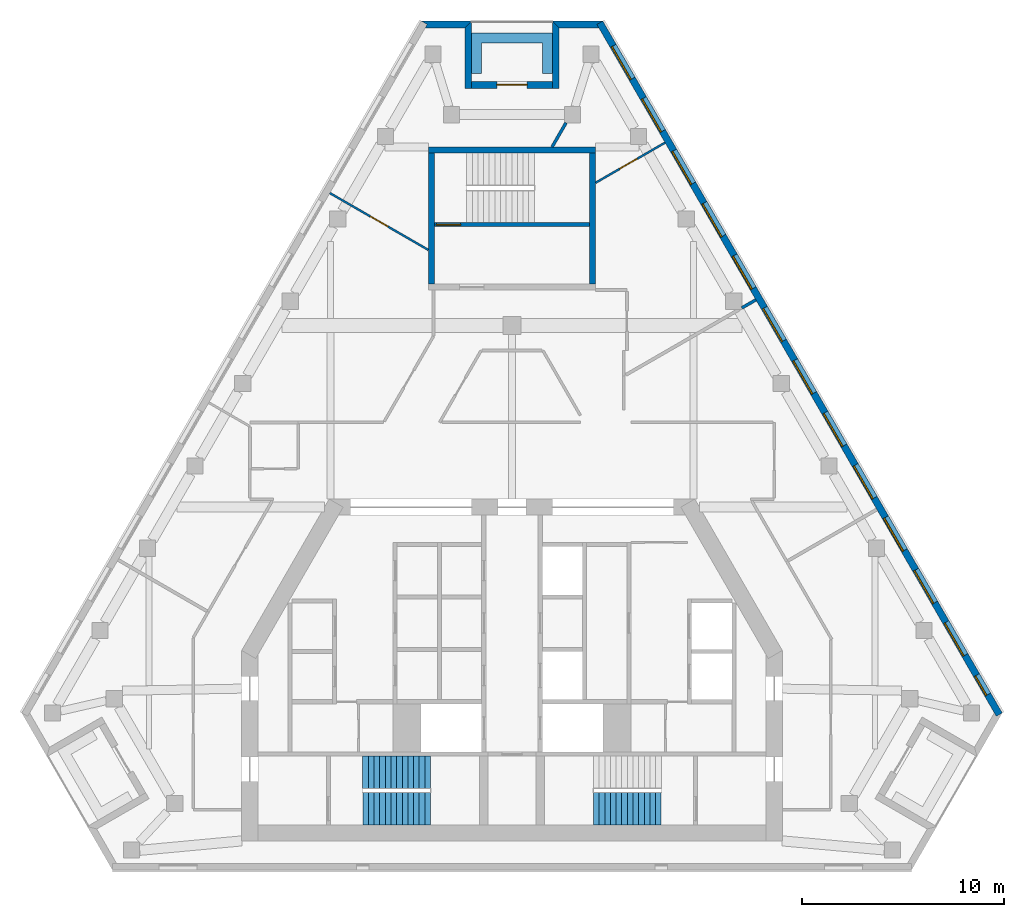
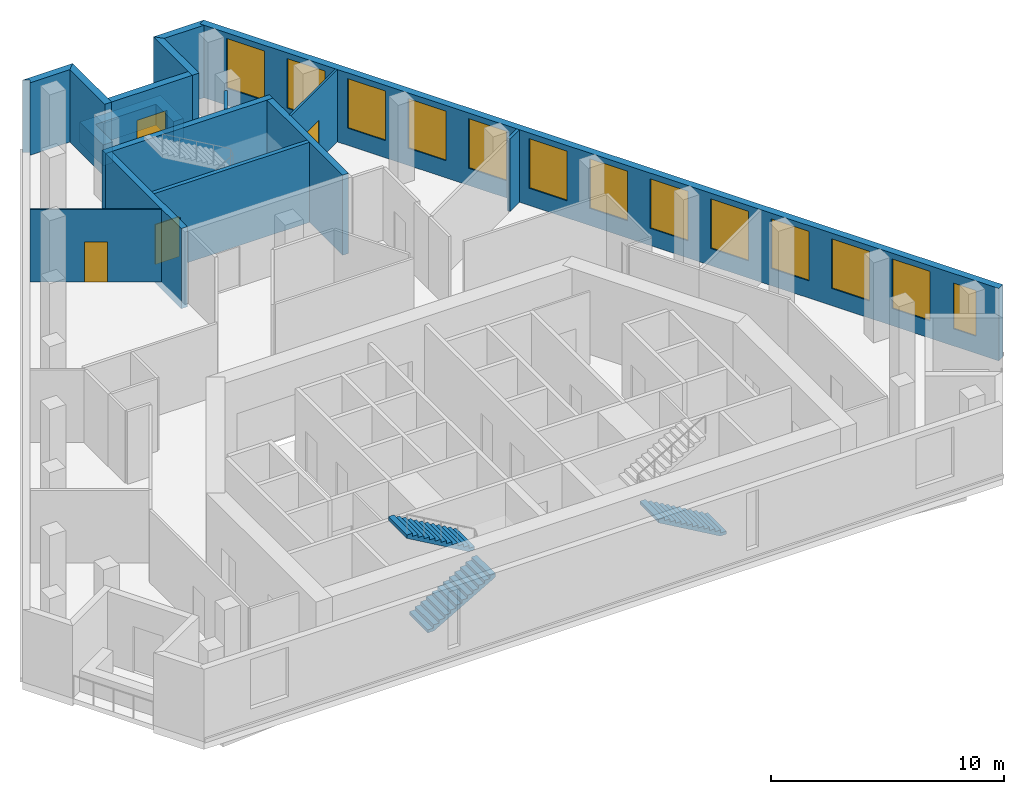
# One storey, part 6 of 8: 15 walls, 13 windows, 4 doors, 3 stair flights, 17 openings, 2 elements without a shape of their own.
"""IFC4 building model written with IfcOpenShell, lengths in metres."""

from ifc_helpers import new_model, si_unit, direction, frame, frame_2d, origin, place, context, subcontext, project, spatial, polyline, rectangle, outline, extrude, material, layer, layer_set, type_object, element, fill, aggregate, save


model = new_model("IFC4")

# Units and contexts
model_context = context("Model", 3, precision=1e-05, world=origin(), true_north=direction((0.0, 1.0)))
body_context = subcontext(model_context, "Body", "Model", "MODEL_VIEW")
ifc_project = project(units=[si_unit("LENGTHUNIT", "METRE"), si_unit("AREAUNIT", "SQUARE_METRE"), si_unit("VOLUMEUNIT", "CUBIC_METRE"), si_unit("PLANEANGLEUNIT", "RADIAN"), si_unit("MASSUNIT", "GRAM", prefix="KILO")], contexts=[model_context])

# Site, building, storey
site_placement = place(None, origin())
site = spatial("IfcSite", under=ifc_project, at=site_placement, CompositionType="ELEMENT")
building_placement = place(site_placement, origin())
building = spatial("IfcBuilding", under=site, at=building_placement, Name="Fogline Exchange Tower", CompositionType="ELEMENT")
storey_placement = place(building_placement, frame((0.0, 0.0, 326.699951171875)))
storey = spatial("IfcBuildingStorey", under=building, at=storey_placement, Name="L74", CompositionType="ELEMENT", Elevation=326.699951171875)

# Wall, opening, door
ifc_material_1 = material(Name="Concrete C40", Category="concrete")
ifc_layer_1 = layer(ifc_material_1, 0.199951171875)
ifc_layer_set_1 = layer_set([ifc_layer_1], Name="CW20R")
wall_type_1 = type_object("IfcWallType", Name="CW20R", PredefinedType="SOLIDWALL", material=ifc_layer_set_1)
wall_1_placement = place(storey_placement, frame((-3.85009765625, 32.007080078125, -0.39990234375), z_axis=(0.0, 0.0, 1.0), x_axis=(1.0, 0.0, 0.0)))
wall_1 = element("IfcWall", 1, at=wall_1_placement, inside=storey, type_object=wall_type_1, Name="Stair enclosure wall ST3", PredefinedType="SOLIDWALL", context=body_context, shape_type="SweptSolid", body=[
    extrude(rectangle(XDim=7.7001953125, YDim=0.199951171875, at=frame_2d((3.85009765625, 0.0))), origin(), (0.0, 0.0, 1.0), 4.199951171875),
])
opening_1_placement = place(wall_1_placement, frame((0.10009765625, 0.0, 0.39990234375)))
opening_1 = element("IfcOpeningElement", 2, at=opening_1_placement, cuts=wall_1, Name="Opening T23-C027", PredefinedType="OPENING", context=body_context, shape_type="SweptSolid", body=[
    extrude(rectangle(XDim=1.199951171875, YDim=2.10009765625, at=frame_2d((0.60009765625, 1.050048828125))), frame((0.0, 0.10986328125, 0.0), z_axis=(0.0, -1.0, 0.0), x_axis=(1.0, 0.0, 0.0)), (0.0, 0.0, 1.0), 0.219970703125),
])
ifc_material_2 = material(Name="Steel and timber fire door", Category="steel")
door_type_1 = type_object("IfcDoorType", Name="D-ST1", OperationType="SINGLE_SWING_LEFT", PredefinedType="DOOR", material=ifc_material_2)
door_1_placement = place(opening_1_placement, origin())
door_1 = element("IfcDoor", 3, at=door_1_placement, inside=storey, type_object=door_type_1, Name="Stair door ST3", OperationType="SINGLE_SWING_LEFT", OverallHeight=2.10009765625, OverallWidth=1.199951171875, PredefinedType="DOOR", context=body_context, shape_type="SweptSolid", body=[
    extrude(rectangle(XDim=1.199951171875, YDim=2.10009765625, at=frame_2d((0.60009765625, 1.050048828125))), frame((0.0, 0.02490234375, 0.0), z_axis=(0.0, -1.0, 0.0), x_axis=(1.0, 0.0, 0.0)), (0.0, 0.0, 1.0), 0.050048828125),
])
fill(opening_1, door_1)

# Walls
ifc_layer_2 = layer(ifc_material_1, 0.300048828125)
ifc_layer_set_2 = layer_set([ifc_layer_2], Name="CW30")
wall_type_2 = type_object("IfcWallType", Name="CW30", PredefinedType="SOLIDWALL", material=ifc_layer_set_2)
wall_2_placement = place(storey_placement, frame((-4.14990234375, 35.70703125, -0.39990234375), z_axis=(0.0, 0.0, 1.0), x_axis=(1.0, 0.0, 0.0)))
element("IfcWall", 4, at=wall_2_placement, inside=storey, type_object=wall_type_2, Name="Stair enclosure wall ST3", PredefinedType="SOLIDWALL", context=body_context, shape_type="SweptSolid", body=[
    extrude(rectangle(XDim=8.2998046875, YDim=0.300048828125, at=frame_2d((4.14990234375, 0.0))), origin(), (0.0, 0.0, 1.0), 4.199951171875),
])
for number, where, z_axis, x_axis, name in (
    (5, (-4.0, 29.056884765625, -0.39990234375), (0.0, 0.0, 1.0), (0.0, 1.0, 0.0), "Stair enclosure wall ST3"),
    (6, (4.0, 29.056884765625, -0.39990234375), (0.0, 0.0, 1.0), (0.0, 1.0, 0.0), "Stair enclosure wall ST3"),
):
    element("IfcWall", number, at=place(storey_placement, frame(where, z_axis=z_axis, x_axis=x_axis)), inside=storey, type_object=wall_type_2, Name=name, PredefinedType="SOLIDWALL", context=body_context, shape_type="SweptSolid", body=[
        extrude(rectangle(XDim=6.5, YDim=0.300048828125, at=frame_2d((3.25, 0.0))), origin(), (0.0, 0.0, 1.0), 4.199951171875),
    ])

# Wall, openings, windows
ifc_material_3 = material(Name="Brick masonry", Category="masonry")
ifc_layer_3 = layer(ifc_material_3, 0.340087890625)
ifc_layer_set_3 = layer_set([ifc_layer_3], Name="FW1")
wall_type_3 = type_object("IfcWallType", Name="FW1", PredefinedType="SOLIDWALL", material=ifc_layer_set_3)
wall_3_placement = place(storey_placement, frame((24.16015625, 7.709228515625, 0.0), z_axis=(0.0, 0.0, 1.0), x_axis=(-0.500000037544, 0.866025382108, 0.0)))
wall_3 = element("IfcWall", 7, at=wall_3_placement, inside=storey, type_object=wall_type_3, Name="Brick wall L74 E", PredefinedType="SOLIDWALL", context=body_context, shape_type="SweptSolid", body=[
    extrude(rectangle(XDim=39.61474609375, YDim=0.340087890625, at=frame_2d((19.807373046875, 0.0))), origin(), (0.0, 0.0, 1.0), 3.800048828125),
])
opening_2_placement = place(wall_3_placement, frame((3.40380859375, 0.0, 0.89990234375)))
opening_2 = element("IfcOpeningElement", 8, at=opening_2_placement, cuts=wall_3, Name="Opening W3", PredefinedType="OPENING", context=body_context, shape_type="SweptSolid", body=[
    extrude(rectangle(XDim=1.885009765625, YDim=2.60009765625, at=frame_2d((0.9423828125, 1.300048828125))), frame((0.0, 0.18017578125, 0.0), z_axis=(0.0, -1.0, 0.0), x_axis=(1.0, 0.0, 0.0)), (0.0, 0.0, 1.0), 0.360107421875),
])
opening_3_placement = place(wall_3_placement, frame((6.40380859375, 0.0, 0.89990234375)))
opening_3 = element("IfcOpeningElement", 9, at=opening_3_placement, cuts=wall_3, Name="Opening W3", PredefinedType="OPENING", context=body_context, shape_type="SweptSolid", body=[
    extrude(rectangle(XDim=1.885009765625, YDim=2.60009765625, at=frame_2d((0.9423828125, 1.300048828125))), frame((0.0, 0.18017578125, 0.0), z_axis=(0.0, -1.0, 0.0), x_axis=(1.0, 0.0, 0.0)), (0.0, 0.0, 1.0), 0.360107421875),
])
opening_4_placement = place(wall_3_placement, frame((9.40380859375, 0.0, 0.89990234375)))
opening_4 = element("IfcOpeningElement", 10, at=opening_4_placement, cuts=wall_3, Name="Opening W3", PredefinedType="OPENING", context=body_context, shape_type="SweptSolid", body=[
    extrude(rectangle(XDim=1.885009765625, YDim=2.60009765625, at=frame_2d((0.9423828125, 1.300048828125))), frame((0.0, 0.18017578125, 0.0), z_axis=(0.0, -1.0, 0.0), x_axis=(1.0, 0.0, 0.0)), (0.0, 0.0, 1.0), 0.360107421875),
])
opening_5_placement = place(wall_3_placement, frame((12.40380859375, 0.0, 0.89990234375)))
opening_5 = element("IfcOpeningElement", 11, at=opening_5_placement, cuts=wall_3, Name="Opening W3", PredefinedType="OPENING", context=body_context, shape_type="SweptSolid", body=[
    extrude(rectangle(XDim=1.885009765625, YDim=2.60009765625, at=frame_2d((0.9423828125, 1.300048828125))), frame((0.0, 0.18017578125, 0.0), z_axis=(0.0, -1.0, 0.0), x_axis=(1.0, 0.0, 0.0)), (0.0, 0.0, 1.0), 0.360107421875),
])
opening_6_placement = place(wall_3_placement, frame((15.40380859375, 0.0, 0.89990234375)))
opening_6 = element("IfcOpeningElement", 12, at=opening_6_placement, cuts=wall_3, Name="Opening W3", PredefinedType="OPENING", context=body_context, shape_type="SweptSolid", body=[
    extrude(rectangle(XDim=1.885009765625, YDim=2.60009765625, at=frame_2d((0.9423828125, 1.300048828125))), frame((0.0, 0.18017578125, 0.0), z_axis=(0.0, -1.0, 0.0), x_axis=(1.0, 0.0, 0.0)), (0.0, 0.0, 1.0), 0.360107421875),
])
opening_7_placement = place(wall_3_placement, frame((18.40380859375, 0.0, 0.89990234375)))
opening_7 = element("IfcOpeningElement", 13, at=opening_7_placement, cuts=wall_3, Name="Opening W3", PredefinedType="OPENING", context=body_context, shape_type="SweptSolid", body=[
    extrude(rectangle(XDim=1.885009765625, YDim=2.60009765625, at=frame_2d((0.9423828125, 1.300048828125))), frame((0.0, 0.18017578125, 0.0), z_axis=(0.0, -1.0, 0.0), x_axis=(1.0, 0.0, 0.0)), (0.0, 0.0, 1.0), 0.360107421875),
])
opening_8_placement = place(wall_3_placement, frame((21.40380859375, 0.0, 0.89990234375)))
opening_8 = element("IfcOpeningElement", 14, at=opening_8_placement, cuts=wall_3, Name="Opening W3", PredefinedType="OPENING", context=body_context, shape_type="SweptSolid", body=[
    extrude(rectangle(XDim=1.885009765625, YDim=2.60009765625, at=frame_2d((0.9423828125, 1.300048828125))), frame((0.0, 0.18017578125, 0.0), z_axis=(0.0, -1.0, 0.0), x_axis=(1.0, 0.0, 0.0)), (0.0, 0.0, 1.0), 0.360107421875),
])
opening_9_placement = place(wall_3_placement, frame((24.40380859375, 0.0, 0.89990234375)))
opening_9 = element("IfcOpeningElement", 15, at=opening_9_placement, cuts=wall_3, Name="Opening W3", PredefinedType="OPENING", context=body_context, shape_type="SweptSolid", body=[
    extrude(rectangle(XDim=1.885009765625, YDim=2.60009765625, at=frame_2d((0.9423828125, 1.300048828125))), frame((0.0, 0.18017578125, 0.0), z_axis=(0.0, -1.0, 0.0), x_axis=(1.0, 0.0, 0.0)), (0.0, 0.0, 1.0), 0.360107421875),
])
opening_10_placement = place(wall_3_placement, frame((27.40380859375, 0.0, 0.89990234375)))
opening_10 = element("IfcOpeningElement", 16, at=opening_10_placement, cuts=wall_3, Name="Opening W3", PredefinedType="OPENING", context=body_context, shape_type="SweptSolid", body=[
    extrude(rectangle(XDim=1.885009765625, YDim=2.60009765625, at=frame_2d((0.9423828125, 1.300048828125))), frame((0.0, 0.18017578125, 0.0), z_axis=(0.0, -1.0, 0.0), x_axis=(1.0, 0.0, 0.0)), (0.0, 0.0, 1.0), 0.360107421875),
])
opening_11_placement = place(wall_3_placement, frame((30.40380859375, 0.0, 0.89990234375)))
opening_11 = element("IfcOpeningElement", 17, at=opening_11_placement, cuts=wall_3, Name="Opening W3", PredefinedType="OPENING", context=body_context, shape_type="SweptSolid", body=[
    extrude(rectangle(XDim=1.885009765625, YDim=2.60009765625, at=frame_2d((0.9423828125, 1.300048828125))), frame((0.0, 0.18017578125, 0.0), z_axis=(0.0, -1.0, 0.0), x_axis=(1.0, 0.0, 0.0)), (0.0, 0.0, 1.0), 0.360107421875),
])
opening_12_placement = place(wall_3_placement, frame((33.40380859375, 0.0, 0.89990234375)))
opening_12 = element("IfcOpeningElement", 18, at=opening_12_placement, cuts=wall_3, Name="Opening W3", PredefinedType="OPENING", context=body_context, shape_type="SweptSolid", body=[
    extrude(rectangle(XDim=1.885009765625, YDim=2.60009765625, at=frame_2d((0.9423828125, 1.300048828125))), frame((0.0, 0.18017578125, 0.0), z_axis=(0.0, -1.0, 0.0), x_axis=(1.0, 0.0, 0.0)), (0.0, 0.0, 1.0), 0.360107421875),
])
opening_13_placement = place(wall_3_placement, frame((36.40380859375, 0.0, 0.89990234375)))
opening_13 = element("IfcOpeningElement", 19, at=opening_13_placement, cuts=wall_3, Name="Opening W3", PredefinedType="OPENING", context=body_context, shape_type="SweptSolid", body=[
    extrude(rectangle(XDim=1.885009765625, YDim=2.60009765625, at=frame_2d((0.9423828125, 1.300048828125))), frame((0.0, 0.18017578125, 0.0), z_axis=(0.0, -1.0, 0.0), x_axis=(1.0, 0.0, 0.0)), (0.0, 0.0, 1.0), 0.360107421875),
])
opening_14_placement = place(wall_3_placement, frame((1.144287109375, 0.0, 0.89990234375)))
opening_14 = element("IfcOpeningElement", 20, at=opening_14_placement, cuts=wall_3, Name="Opening W4", PredefinedType="OPENING", context=body_context, shape_type="SweptSolid", body=[
    extrude(rectangle(XDim=1.114990234375, YDim=2.39990234375, at=frame_2d((0.5576171875, 1.199951171875))), frame((0.0, 0.18017578125, 0.0), z_axis=(0.0, -1.0, 0.0), x_axis=(1.0, 0.0, 0.0)), (0.0, 0.0, 1.0), 0.360107421875),
])
ifc_material_4 = material(Name="Aluminium and glass", Category="aluminium")
window_type_1 = type_object("IfcWindowType", Name="W3", PartitioningType="SINGLE_PANEL", PredefinedType="WINDOW", material=ifc_material_4)
window_1_placement = place(opening_2_placement, origin())
window_1 = element("IfcWindow", 21, at=window_1_placement, inside=storey, type_object=window_type_1, Name="W3 W3", OverallHeight=2.60009765625, OverallWidth=1.885009765625, PartitioningType="SINGLE_PANEL", PredefinedType="WINDOW", context=body_context, shape_type="SweptSolid", body=[
    extrude(rectangle(XDim=1.885009765625, YDim=2.60009765625, at=frame_2d((0.9423828125, 1.300048828125))), frame((0.0, 0.110107421875, 0.0), z_axis=(0.0, -1.0, 0.0), x_axis=(1.0, 0.0, 0.0)), (0.0, 0.0, 1.0), 0.06005859375),
])
fill(opening_2, window_1)
window_2_placement = place(opening_3_placement, origin())
window_2 = element("IfcWindow", 22, at=window_2_placement, inside=storey, type_object=window_type_1, Name="W3 W3", OverallHeight=2.60009765625, OverallWidth=1.885009765625, PartitioningType="SINGLE_PANEL", PredefinedType="WINDOW", context=body_context, shape_type="SweptSolid", body=[
    extrude(rectangle(XDim=1.885009765625, YDim=2.60009765625, at=frame_2d((0.9423828125, 1.300048828125))), frame((0.0, 0.110107421875, 0.0), z_axis=(0.0, -1.0, 0.0), x_axis=(1.0, 0.0, 0.0)), (0.0, 0.0, 1.0), 0.06005859375),
])
fill(opening_3, window_2)
window_3_placement = place(opening_4_placement, origin())
window_3 = element("IfcWindow", 23, at=window_3_placement, inside=storey, type_object=window_type_1, Name="W3 W3", OverallHeight=2.60009765625, OverallWidth=1.885009765625, PartitioningType="SINGLE_PANEL", PredefinedType="WINDOW", context=body_context, shape_type="SweptSolid", body=[
    extrude(rectangle(XDim=1.885009765625, YDim=2.60009765625, at=frame_2d((0.9423828125, 1.300048828125))), frame((0.0, 0.110107421875, 0.0), z_axis=(0.0, -1.0, 0.0), x_axis=(1.0, 0.0, 0.0)), (0.0, 0.0, 1.0), 0.06005859375),
])
fill(opening_4, window_3)
window_4_placement = place(opening_5_placement, origin())
window_4 = element("IfcWindow", 24, at=window_4_placement, inside=storey, type_object=window_type_1, Name="W3 W3", OverallHeight=2.60009765625, OverallWidth=1.885009765625, PartitioningType="SINGLE_PANEL", PredefinedType="WINDOW", context=body_context, shape_type="SweptSolid", body=[
    extrude(rectangle(XDim=1.885009765625, YDim=2.60009765625, at=frame_2d((0.9423828125, 1.300048828125))), frame((0.0, 0.110107421875, 0.0), z_axis=(0.0, -1.0, 0.0), x_axis=(1.0, 0.0, 0.0)), (0.0, 0.0, 1.0), 0.06005859375),
])
fill(opening_5, window_4)
window_5_placement = place(opening_6_placement, origin())
window_5 = element("IfcWindow", 25, at=window_5_placement, inside=storey, type_object=window_type_1, Name="W3 W3", OverallHeight=2.60009765625, OverallWidth=1.885009765625, PartitioningType="SINGLE_PANEL", PredefinedType="WINDOW", context=body_context, shape_type="SweptSolid", body=[
    extrude(rectangle(XDim=1.885009765625, YDim=2.60009765625, at=frame_2d((0.9423828125, 1.300048828125))), frame((0.0, 0.110107421875, 0.0), z_axis=(0.0, -1.0, 0.0), x_axis=(1.0, 0.0, 0.0)), (0.0, 0.0, 1.0), 0.06005859375),
])
fill(opening_6, window_5)
window_6_placement = place(opening_7_placement, origin())
window_6 = element("IfcWindow", 26, at=window_6_placement, inside=storey, type_object=window_type_1, Name="W3 W3", OverallHeight=2.60009765625, OverallWidth=1.885009765625, PartitioningType="SINGLE_PANEL", PredefinedType="WINDOW", context=body_context, shape_type="SweptSolid", body=[
    extrude(rectangle(XDim=1.885009765625, YDim=2.60009765625, at=frame_2d((0.9423828125, 1.300048828125))), frame((0.0, 0.110107421875, 0.0), z_axis=(0.0, -1.0, 0.0), x_axis=(1.0, 0.0, 0.0)), (0.0, 0.0, 1.0), 0.06005859375),
])
fill(opening_7, window_6)
window_7_placement = place(opening_8_placement, origin())
window_7 = element("IfcWindow", 27, at=window_7_placement, inside=storey, type_object=window_type_1, Name="W3 W3", OverallHeight=2.60009765625, OverallWidth=1.885009765625, PartitioningType="SINGLE_PANEL", PredefinedType="WINDOW", context=body_context, shape_type="SweptSolid", body=[
    extrude(rectangle(XDim=1.885009765625, YDim=2.60009765625, at=frame_2d((0.9423828125, 1.300048828125))), frame((0.0, 0.110107421875, 0.0), z_axis=(0.0, -1.0, 0.0), x_axis=(1.0, 0.0, 0.0)), (0.0, 0.0, 1.0), 0.06005859375),
])
fill(opening_8, window_7)
window_8_placement = place(opening_9_placement, origin())
window_8 = element("IfcWindow", 28, at=window_8_placement, inside=storey, type_object=window_type_1, Name="W3 W3", OverallHeight=2.60009765625, OverallWidth=1.885009765625, PartitioningType="SINGLE_PANEL", PredefinedType="WINDOW", context=body_context, shape_type="SweptSolid", body=[
    extrude(rectangle(XDim=1.885009765625, YDim=2.60009765625, at=frame_2d((0.9423828125, 1.300048828125))), frame((0.0, 0.110107421875, 0.0), z_axis=(0.0, -1.0, 0.0), x_axis=(1.0, 0.0, 0.0)), (0.0, 0.0, 1.0), 0.06005859375),
])
fill(opening_9, window_8)
window_9_placement = place(opening_10_placement, origin())
window_9 = element("IfcWindow", 29, at=window_9_placement, inside=storey, type_object=window_type_1, Name="W3 W3", OverallHeight=2.60009765625, OverallWidth=1.885009765625, PartitioningType="SINGLE_PANEL", PredefinedType="WINDOW", context=body_context, shape_type="SweptSolid", body=[
    extrude(rectangle(XDim=1.885009765625, YDim=2.60009765625, at=frame_2d((0.9423828125, 1.300048828125))), frame((0.0, 0.110107421875, 0.0), z_axis=(0.0, -1.0, 0.0), x_axis=(1.0, 0.0, 0.0)), (0.0, 0.0, 1.0), 0.06005859375),
])
fill(opening_10, window_9)
window_10_placement = place(opening_11_placement, origin())
window_10 = element("IfcWindow", 30, at=window_10_placement, inside=storey, type_object=window_type_1, Name="W3 W3", OverallHeight=2.60009765625, OverallWidth=1.885009765625, PartitioningType="SINGLE_PANEL", PredefinedType="WINDOW", context=body_context, shape_type="SweptSolid", body=[
    extrude(rectangle(XDim=1.885009765625, YDim=2.60009765625, at=frame_2d((0.9423828125, 1.300048828125))), frame((0.0, 0.110107421875, 0.0), z_axis=(0.0, -1.0, 0.0), x_axis=(1.0, 0.0, 0.0)), (0.0, 0.0, 1.0), 0.06005859375),
])
fill(opening_11, window_10)
window_11_placement = place(opening_12_placement, origin())
window_11 = element("IfcWindow", 31, at=window_11_placement, inside=storey, type_object=window_type_1, Name="W3 W3", OverallHeight=2.60009765625, OverallWidth=1.885009765625, PartitioningType="SINGLE_PANEL", PredefinedType="WINDOW", context=body_context, shape_type="SweptSolid", body=[
    extrude(rectangle(XDim=1.885009765625, YDim=2.60009765625, at=frame_2d((0.9423828125, 1.300048828125))), frame((0.0, 0.110107421875, 0.0), z_axis=(0.0, -1.0, 0.0), x_axis=(1.0, 0.0, 0.0)), (0.0, 0.0, 1.0), 0.06005859375),
])
fill(opening_12, window_11)
window_12_placement = place(opening_13_placement, origin())
window_12 = element("IfcWindow", 32, at=window_12_placement, inside=storey, type_object=window_type_1, Name="W3 W3", OverallHeight=2.60009765625, OverallWidth=1.885009765625, PartitioningType="SINGLE_PANEL", PredefinedType="WINDOW", context=body_context, shape_type="SweptSolid", body=[
    extrude(rectangle(XDim=1.885009765625, YDim=2.60009765625, at=frame_2d((0.9423828125, 1.300048828125))), frame((0.0, 0.110107421875, 0.0), z_axis=(0.0, -1.0, 0.0), x_axis=(1.0, 0.0, 0.0)), (0.0, 0.0, 1.0), 0.06005859375),
])
fill(opening_13, window_12)
window_type_2 = type_object("IfcWindowType", Name="W4", PartitioningType="SINGLE_PANEL", PredefinedType="WINDOW", material=ifc_material_4)
window_13_placement = place(opening_14_placement, origin())
window_13 = element("IfcWindow", 33, at=window_13_placement, inside=storey, type_object=window_type_2, Name="W4 W4", OverallHeight=2.39990234375, OverallWidth=1.114990234375, PartitioningType="SINGLE_PANEL", PredefinedType="WINDOW", context=body_context, shape_type="SweptSolid", body=[
    extrude(rectangle(XDim=1.114990234375, YDim=2.39990234375, at=frame_2d((0.5576171875, 1.199951171875))), frame((0.0, 0.110107421875, 0.0), z_axis=(0.0, -1.0, 0.0), x_axis=(1.0, 0.0, 0.0)), (0.0, 0.0, 1.0), 0.06005859375),
])
fill(opening_14, window_13)

# Walls
wall_4_placement = place(storey_placement, origin())
element("IfcWall", 34, at=wall_4_placement, inside=storey, type_object=wall_type_3, Name="Brick wall L74 N-c1", PredefinedType="SOLIDWALL", context=body_context, shape_type="SweptSolid", body=[
    extrude(outline(polyline([(1.9990234375, 42.102294921875), (4.5009765625, 42.102294921875), (4.501220703125, 42.1015625), (4.206298828125, 41.931396484375), (4.3046875, 41.760986328125), (2.33984375, 41.760986328125), (1.998779296875, 42.10205078125), (1.9990234375, 42.102294921875)])), origin(), (0.0, 0.0, 1.0), 3.800048828125),
])
wall_5_placement = place(storey_placement, origin())
element("IfcWall", 35, at=wall_5_placement, inside=storey, type_object=wall_type_3, Name="Brick wall L74 N-s1", PredefinedType="SOLIDWALL", context=body_context, shape_type="SweptSolid", body=[
    extrude(outline(polyline([(2.340576171875, 38.760986328125), (1.99951171875, 38.760986328125), (1.99951171875, 42.102783203125), (1.999755859375, 42.102783203125), (2.340576171875, 41.761962890625), (2.340576171875, 38.760986328125)])), origin(), (0.0, 0.0, 1.0), 3.800048828125),
])

# Wall, opening, door
wall_6_placement = place(storey_placement, frame((2.0, 38.931640625, 0.0), z_axis=(0.0, 0.0, 1.0), x_axis=(-1.0, 0.0, 0.0)))
wall_6 = element("IfcWall", 36, at=wall_6_placement, inside=storey, type_object=wall_type_3, Name="Brick wall L74 N-bk", PredefinedType="SOLIDWALL", context=body_context, shape_type="SweptSolid", body=[
    extrude(rectangle(XDim=4.0, YDim=0.340087890625, at=frame_2d((2.0, 0.0))), origin(), (0.0, 0.0, 1.0), 3.800048828125),
])
opening_15_placement = place(wall_6_placement, frame((1.25, 0.0, 0.0)))
opening_15 = element("IfcOpeningElement", 37, at=opening_15_placement, cuts=wall_6, Name="Opening T23-E141", PredefinedType="OPENING", context=body_context, shape_type="SweptSolid", body=[
    extrude(rectangle(XDim=1.5, YDim=2.39990234375, at=frame_2d((0.75, 1.199951171875))), frame((0.0, 0.18017578125, 0.0), z_axis=(0.0, -1.0, 0.0), x_axis=(1.0, 0.0, 0.0)), (0.0, 0.0, 1.0), 0.360107421875),
])
door_type_2 = type_object("IfcDoorType", Name="ED4", OperationType="SINGLE_SWING_LEFT", PredefinedType="DOOR", material=ifc_material_4)
door_2_placement = place(opening_15_placement, frame((1.5, 0.0, 0.0), z_axis=(0.0, 0.0, 1.0), x_axis=(-1.0, 0.0, 0.0)))
door_2 = element("IfcDoor", 38, at=door_2_placement, inside=storey, type_object=door_type_2, Name="Balcony door L74 N", OperationType="DOUBLE_DOOR_SINGLE_SWING", OverallHeight=2.39990234375, OverallWidth=1.5, PredefinedType="DOOR", context=body_context, shape_type="SweptSolid", body=[
    extrude(rectangle(XDim=1.5, YDim=2.39990234375, at=frame_2d((0.75, 1.199951171875))), frame((0.0, 0.02490234375, 0.0), z_axis=(0.0, -1.0, 0.0), x_axis=(1.0, 0.0, 0.0)), (0.0, 0.0, 1.0), 0.050048828125),
])
fill(opening_15, door_2)

# Walls
wall_7_placement = place(storey_placement, origin())
element("IfcWall", 39, at=wall_7_placement, inside=storey, type_object=wall_type_3, Name="Brick wall L74 N-s2", PredefinedType="SOLIDWALL", context=body_context, shape_type="SweptSolid", body=[
    extrude(outline(polyline([(-1.99951171875, 42.102783203125), (-1.99951171875, 38.760986328125), (-2.340576171875, 38.760986328125), (-2.340576171875, 41.761962890625), (-1.999755859375, 42.102783203125), (-1.99951171875, 42.102783203125)])), origin(), (0.0, 0.0, 1.0), 3.800048828125),
])
wall_8_placement = place(storey_placement, origin())
element("IfcWall", 40, at=wall_8_placement, inside=storey, type_object=wall_type_3, Name="Brick wall L74 N-c2", PredefinedType="SOLIDWALL", context=body_context, shape_type="SweptSolid", body=[
    extrude(outline(polyline([(-4.3046875, 41.760986328125), (-4.206298828125, 41.931396484375), (-4.501220703125, 42.1015625), (-4.5009765625, 42.102294921875), (-1.9990234375, 42.102294921875), (-1.998779296875, 42.10205078125), (-2.33984375, 41.760986328125), (-4.3046875, 41.760986328125)])), origin(), (0.0, 0.0, 1.0), 3.800048828125),
])
ifc_material_5 = material(Name="Concrete C30", Category="concrete")
ifc_layer_4 = layer(ifc_material_5, 0.199951171875)
ifc_layer_set_4 = layer_set([ifc_layer_4], Name="PL1")
wall_type_4 = type_object("IfcWallType", Name="PL1", PredefinedType="USERDEFINED", material=ifc_layer_set_4)
wall_9_placement = place(storey_placement, origin())
element("IfcWall", 41, at=wall_9_placement, inside=storey, type_object=wall_type_4, Name="PLANTER balcony L74 N", ObjectType="PLANTER", PredefinedType="USERDEFINED", context=body_context, shape_type="SweptSolid", body=[
    extrude(outline(polyline([(-1.5, 41.501708984375), (-2.0, 41.501708984375), (-2.0, 41.001708984375), (-2.0, 39.501708984375), (-1.5, 39.501708984375), (-1.5, 41.001708984375), (1.5, 41.001708984375), (1.5, 39.501708984375), (2.0, 39.501708984375), (2.0, 41.001708984375), (2.0, 41.501708984375), (1.5, 41.501708984375), (-1.5, 41.501708984375)])), origin(), (0.0, 0.0, 1.0), 1.10009765625),
])

# Wall, opening, door
ifc_material_6 = material(Name="Plasterboard partition, 2 layers each side on steel studs", Category="steel")
ifc_layer_5 = layer(ifc_material_6, 0.10009765625)
ifc_layer_set_5 = layer_set([ifc_layer_5], Name="PW1")
wall_type_5 = type_object("IfcWallType", Name="PW1", PredefinedType="PARTITIONING", material=ifc_layer_set_5)
wall_10_placement = place(storey_placement, frame((4.14990234375, 34.083984375, 0.0), z_axis=(0.0, 0.0, 1.0), x_axis=(0.86604843292, 0.499960110246, 0.0)))
wall_10 = element("IfcWall", 42, at=wall_10_placement, inside=storey, type_object=wall_type_5, Name="wall-L74-W030", PredefinedType="PARTITIONING", context=body_context, shape_type="SweptSolid", body=[
    extrude(rectangle(XDim=3.971923828125, YDim=0.10009765625, at=frame_2d((1.98583984375, 0.0))), origin(), (0.0, 0.0, 1.0), 3.800048828125),
])
opening_16_placement = place(wall_10_placement, frame((1.37353515625, 0.0, 0.0)))
opening_16 = element("IfcOpeningElement", 43, at=opening_16_placement, cuts=wall_10, Name="Opening T23-D009", PredefinedType="OPENING", context=body_context, shape_type="SweptSolid", body=[
    extrude(rectangle(XDim=1.0, YDim=2.10009765625, at=frame_2d((0.5, 1.050048828125))), frame((0.0, 0.06005859375, 0.0), z_axis=(0.0, -1.0, 0.0), x_axis=(1.0, 0.0, 0.0)), (0.0, 0.0, 1.0), 0.1201171875),
])
ifc_material_7 = material(Name="Timber door leaf with steel frame", Category="steel")
door_type_3 = type_object("IfcDoorType", Name="D1", OperationType="SINGLE_SWING_LEFT", PredefinedType="DOOR", material=ifc_material_7)
door_3_placement = place(opening_16_placement, origin())
door_3 = element("IfcDoor", 44, at=door_3_placement, inside=storey, type_object=door_type_3, Name="door-L74-D009", OperationType="SINGLE_SWING_LEFT", OverallHeight=2.10009765625, OverallWidth=1.0, PredefinedType="DOOR", context=body_context, shape_type="SweptSolid", body=[
    extrude(rectangle(XDim=1.0, YDim=2.10009765625, at=frame_2d((0.5, 1.050048828125))), frame((0.0, 0.02490234375, 0.0), z_axis=(0.0, -1.0, 0.0), x_axis=(1.0, 0.0, 0.0)), (0.0, 0.0, 1.0), 0.050048828125),
])
fill(opening_16, door_3)

wall_11_placement = place(storey_placement, frame((-4.14990234375, 30.752685546875, 0.0), z_axis=(0.0, 0.0, 1.0), x_axis=(-0.866052180338, 0.499953618781, 0.0)))
wall_11 = element("IfcWall", 45, at=wall_11_placement, inside=storey, type_object=wall_type_5, Name="wall-L74-W032", PredefinedType="PARTITIONING", context=body_context, shape_type="SweptSolid", body=[
    extrude(rectangle(XDim=5.6376953125, YDim=0.10009765625, at=frame_2d((2.81884765625, 0.0))), origin(), (0.0, 0.0, 1.0), 3.800048828125),
])
opening_17_placement = place(wall_11_placement, frame((2.31884765625, 0.0, 0.0)))
opening_17 = element("IfcOpeningElement", 46, at=opening_17_placement, cuts=wall_11, Name="Opening T23-D010", PredefinedType="OPENING", context=body_context, shape_type="SweptSolid", body=[
    extrude(rectangle(XDim=1.0, YDim=2.10009765625, at=frame_2d((0.5, 1.050048828125))), frame((0.0, 0.06005859375, 0.0), z_axis=(0.0, -1.0, 0.0), x_axis=(1.0, 0.0, 0.0)), (0.0, 0.0, 1.0), 0.1201171875),
])
door_4_placement = place(opening_17_placement, frame((1.0, 0.0, 0.0), z_axis=(0.0, 0.0, 1.0), x_axis=(-1.0, 0.0, 0.0)))
door_4 = element("IfcDoor", 47, at=door_4_placement, inside=storey, type_object=door_type_3, Name="door-L74-D010", OperationType="SINGLE_SWING_RIGHT", OverallHeight=2.10009765625, OverallWidth=1.0, PredefinedType="DOOR", context=body_context, shape_type="SweptSolid", body=[
    extrude(rectangle(XDim=1.0, YDim=2.10009765625, at=frame_2d((0.5, 1.050048828125))), frame((0.0, 0.02490234375, 0.0), z_axis=(0.0, -1.0, 0.0), x_axis=(1.0, 0.0, 0.0)), (0.0, 0.0, 1.0), 0.050048828125),
])
fill(opening_17, door_4)

# Walls
ifc_material_8 = material(Name="Plasterboard demising partition with mineral wool and acoustic board")
ifc_layer_6 = layer(ifc_material_8, 0.14990234375)
ifc_layer_set_6 = layer_set([ifc_layer_6], Name="PW3")
wall_type_6 = type_object("IfcWallType", Name="PW3", PredefinedType="PARTITIONING", material=ifc_layer_set_6)
wall_12_placement = place(storey_placement, frame((11.394287109375, 27.8740234375, 0.0), z_axis=(0.0, 0.0, 1.0), x_axis=(0.866008413041, 0.500029427677, 0.0)))
element("IfcWall", 48, at=wall_12_placement, inside=storey, type_object=wall_type_6, Name="wall-L74-W028", PredefinedType="PARTITIONING", context=body_context, shape_type="SweptSolid", body=[
    extrude(rectangle(XDim=0.80322265625, YDim=0.14990234375, at=frame_2d((0.401611328125, 0.0))), origin(), (0.0, 0.0, 1.0), 3.800048828125),
])
wall_13_placement = place(storey_placement, frame((1.98681640625, 35.85693359375, 0.0), z_axis=(0.0, 0.0, 1.0), x_axis=(0.499986884831, 0.866032975699, 0.0)))
element("IfcWall", 49, at=wall_13_placement, inside=storey, type_object=wall_type_6, Name="wall-L74-W031", PredefinedType="PARTITIONING", context=body_context, shape_type="SweptSolid", body=[
    extrude(rectangle(XDim=1.38525390625, YDim=0.14990234375, at=frame_2d((0.692626953125, 0.0))), origin(), (0.0, 0.0, 1.0), 3.800048828125),
])

# Stair, stair flights
stair_type = type_object("IfcStairType", Name="STR26-1615", PredefinedType="HALF_TURN_STAIR", material=ifc_material_1)
stair_1_placement = place(storey_placement, origin())
stair_1 = element("IfcStair", 50, at=stair_1_placement, inside=storey, type_object=stair_type, Name="Stair ST1", PredefinedType="HALF_TURN_STAIR")
stair_flight_type = type_object("IfcStairFlightType", Name="SF13-1615", PredefinedType="STRAIGHT", material=ifc_material_1)
stair_flight_1_placement = place(storey_placement, frame((-7.39990234375, 3.050048828125, 0.0), z_axis=(0.0, 0.0, 1.0), x_axis=(1.0, 0.0, 0.0)))
stair_flight_1 = element("IfcStairFlight", 51, at=stair_flight_1_placement, type_object=stair_flight_type, Name="ST1 flight 1", NumberOfRisers=13, NumberOfTreads=12, PredefinedType="STRAIGHT", RiserHeight=0.161538462, TreadLength=0.28, context=body_context, shape_type="SweptSolid", body=[
    extrude(outline(polyline([(0.0, 0.0), (0.0, 0.16162109375), (0.280029296875, 0.16162109375), (0.280029296875, 0.322998046875), (0.56005859375, 0.322998046875), (0.56005859375, 0.484619140625), (0.840087890625, 0.484619140625), (0.840087890625, 0.646240234375), (1.1201171875, 0.646240234375), (1.1201171875, 0.8076171875), (1.39990234375, 0.8076171875), (1.39990234375, 0.96923828125), (1.679931640625, 0.96923828125), (1.679931640625, 1.130859375), (1.9599609375, 1.130859375), (1.9599609375, 1.292236328125), (2.239990234375, 1.292236328125), (2.239990234375, 1.453857421875), (2.52001953125, 1.453857421875), (2.52001953125, 1.615478515625), (2.800048828125, 1.615478515625), (2.800048828125, 1.77685546875), (3.080078125, 1.77685546875), (3.080078125, 1.9384765625), (3.360107421875, 1.9384765625), (3.360107421875, 2.10009765625), (3.360107421875, 1.765380859375), (0.300048828125, 0.0), (0.0, 0.0)])), frame((0.0, 0.800048828125, 0.0), z_axis=(0.0, -1.0, 0.0), x_axis=(1.0, 0.0, 0.0)), (0.0, 0.0, 1.0), 1.60009765625),
])
stair_flight_2_placement = place(storey_placement, frame((-4.0400390625, 4.85009765625, 2.10009765625), z_axis=(0.0, 0.0, 1.0), x_axis=(-1.0, 0.0, 0.0)))
stair_flight_2 = element("IfcStairFlight", 52, at=stair_flight_2_placement, type_object=stair_flight_type, Name="ST1 flight 2", NumberOfRisers=13, NumberOfTreads=12, PredefinedType="STRAIGHT", RiserHeight=0.161538462, TreadLength=0.28, context=body_context, shape_type="SweptSolid", body=[
    extrude(outline(polyline([(0.0, 0.0), (0.0, 0.16162109375), (0.280029296875, 0.16162109375), (0.280029296875, 0.322998046875), (0.56005859375, 0.322998046875), (0.56005859375, 0.484619140625), (0.840087890625, 0.484619140625), (0.840087890625, 0.646240234375), (1.1201171875, 0.646240234375), (1.1201171875, 0.8076171875), (1.39990234375, 0.8076171875), (1.39990234375, 0.96923828125), (1.679931640625, 0.96923828125), (1.679931640625, 1.130859375), (1.9599609375, 1.130859375), (1.9599609375, 1.292236328125), (2.239990234375, 1.292236328125), (2.239990234375, 1.453857421875), (2.52001953125, 1.453857421875), (2.52001953125, 1.615478515625), (2.800048828125, 1.615478515625), (2.800048828125, 1.77685546875), (3.080078125, 1.77685546875), (3.080078125, 1.9384765625), (3.360107421875, 1.9384765625), (3.360107421875, 2.10009765625), (3.360107421875, 1.765380859375), (0.300048828125, 0.0), (0.0, 0.0)])), frame((0.0, 0.800048828125, 0.0), z_axis=(0.0, -1.0, 0.0), x_axis=(1.0, 0.0, 0.0)), (0.0, 0.0, 1.0), 1.60009765625),
])
aggregate(stair_1, [stair_flight_1, stair_flight_2])

# Stair, stair flight
stair_2_placement = place(storey_placement, origin())
stair_2 = element("IfcStair", 53, at=stair_2_placement, inside=storey, type_object=stair_type, Name="Stair ST2", PredefinedType="HALF_TURN_STAIR")
stair_flight_3_placement = place(storey_placement, frame((7.39990234375, 3.050048828125, 0.0), z_axis=(0.0, 0.0, 1.0), x_axis=(-1.0, 0.0, 0.0)))
stair_flight_3 = element("IfcStairFlight", 54, at=stair_flight_3_placement, type_object=stair_flight_type, Name="ST2 flight 1", NumberOfRisers=13, NumberOfTreads=12, PredefinedType="STRAIGHT", RiserHeight=0.161538462, TreadLength=0.28, context=body_context, shape_type="SweptSolid", body=[
    extrude(outline(polyline([(0.0, 0.0), (0.0, 0.16162109375), (0.280029296875, 0.16162109375), (0.280029296875, 0.322998046875), (0.56005859375, 0.322998046875), (0.56005859375, 0.484619140625), (0.840087890625, 0.484619140625), (0.840087890625, 0.646240234375), (1.1201171875, 0.646240234375), (1.1201171875, 0.8076171875), (1.39990234375, 0.8076171875), (1.39990234375, 0.96923828125), (1.679931640625, 0.96923828125), (1.679931640625, 1.130859375), (1.9599609375, 1.130859375), (1.9599609375, 1.292236328125), (2.239990234375, 1.292236328125), (2.239990234375, 1.453857421875), (2.52001953125, 1.453857421875), (2.52001953125, 1.615478515625), (2.800048828125, 1.615478515625), (2.800048828125, 1.77685546875), (3.080078125, 1.77685546875), (3.080078125, 1.9384765625), (3.360107421875, 1.9384765625), (3.360107421875, 2.10009765625), (3.360107421875, 1.765380859375), (0.300048828125, 0.0), (0.0, 0.0)])), frame((0.0, 0.800048828125, 0.0), z_axis=(0.0, -1.0, 0.0), x_axis=(1.0, 0.0, 0.0)), (0.0, 0.0, 1.0), 1.60009765625),
])
aggregate(stair_2, [stair_flight_3])

save(model, "model.ifc")
